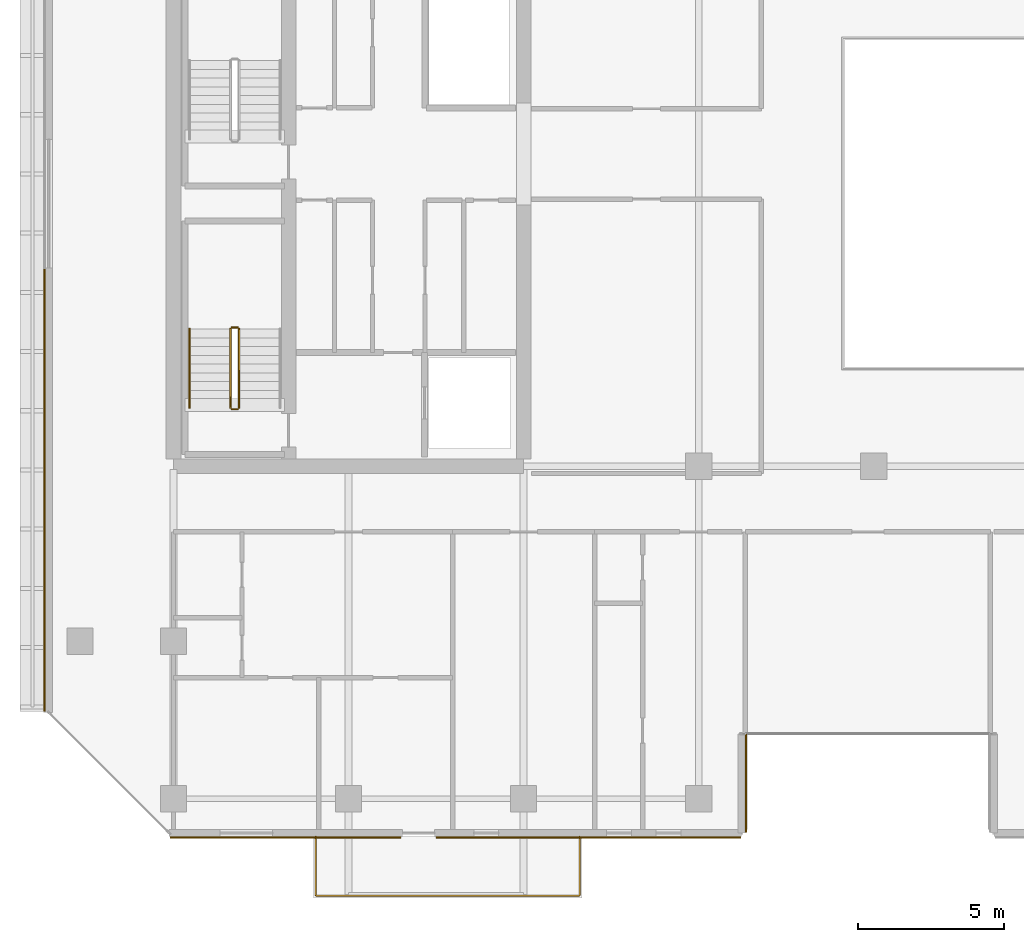
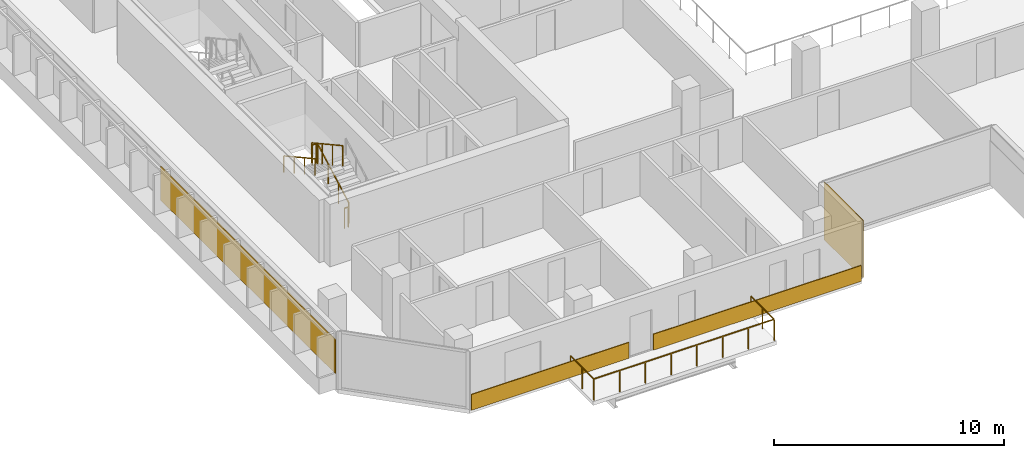
# One storey, part 26 of 29: 6 railings, 4 coverings.
"""IFC4 building model written with IfcOpenShell, lengths in metres."""

import ifcopenshell
import ifcopenshell.guid

model = None  # the IFC model being written
_history = None  # IfcOwnerHistory: only IFC2X3 demands one
_inside = {}  # id of a spatial element -> (the spatial element, [elements in it])
_under = {}  # id of a project, library or spatial element -> (it, [spatial elements below it])
_declared = {}  # id of a project -> (the project, [libraries it declares])
_typed = {}  # id of a type object -> (the type object, [elements of that type])
_made_of = {}  # id of a material, layer set ... -> (it, [elements and type objects made of it])


def new_model(schema):
    """Start an empty IFC model of exactly this schema.

    Asked for "IFC4X3", IfcOpenShell would pick the latest addendum, in which some entities
    have other attributes; the version numbers below select the first issue.
    IFC2X3 requires an IfcOwnerHistory on every rooted entity: one is made here for all.
    """
    global model, _history
    if schema == "IFC4X3":
        model = ifcopenshell.file(schema_version=(4, 3, 0, 0))
    else:
        model = ifcopenshell.file(schema=schema)
    _inside.clear()
    _under.clear()
    _declared.clear()
    _typed.clear()
    _made_of.clear()
    _history = None
    if model.schema == "IFC2X3":
        org = make("IfcOrganization", Name="unknown")
        user = make(
            "IfcPersonAndOrganization",
            ThePerson=make("IfcPerson", FamilyName="unknown"),
            TheOrganization=org,
        )
        app = make(
            "IfcApplication",
            ApplicationDeveloper=org,
            Version="unknown",
            ApplicationFullName="unknown",
            ApplicationIdentifier="unknown",
        )
        _history = make(
            "IfcOwnerHistory",
            OwningUser=user,
            OwningApplication=app,
            ChangeAction="ADDED",
            CreationDate=0,
        )
    return model


def make(cls, **values):
    """One entity of the class cls with the attributes given. An attribute that is None is left unset."""
    return model.create_entity(
        cls, **{name: value for name, value in values.items() if value is not None}
    )


def rooted(cls, **values):
    """An entity with a GlobalId (a new one), such as an element, a storey or a relation."""
    return make(cls, GlobalId=ifcopenshell.guid.new(), OwnerHistory=_history, **values)


def si_unit(unit_type, name, prefix=None):
    """IfcSIUnit, for example si_unit("LENGTHUNIT", "METRE", prefix="MILLI")."""
    return make("IfcSIUnit", UnitType=unit_type, Prefix=prefix, Name=name)


def assignment(units):
    """IfcUnitAssignment: the units of a project."""
    return None if units is None else make("IfcUnitAssignment", Units=units)


def point(xyz):
    """IfcCartesianPoint."""
    return None if xyz is None else make("IfcCartesianPoint", Coordinates=xyz)


def direction(xyz):
    """IfcDirection."""
    return None if xyz is None else make("IfcDirection", DirectionRatios=xyz)


def frame(location, z_axis=None, x_axis=None):
    """IfcAxis2Placement3D, a coordinate frame: its origin and axes. An axis left out is left unset."""
    return make(
        "IfcAxis2Placement3D",
        Location=point(location),
        Axis=direction(z_axis),
        RefDirection=direction(x_axis),
    )


def frame_2d(location, x_axis=None):
    """IfcAxis2Placement2D, a coordinate frame in the plane: its origin and x axis."""
    return make(
        "IfcAxis2Placement2D", Location=point(location), RefDirection=direction(x_axis)
    )


def origin():
    """The frame at (0, 0, 0) with its axes left unset."""
    return frame((0.0, 0.0, 0.0))


def origin_2d():
    """The frame at (0, 0) in the plane with its x axis left unset."""
    return frame_2d((0.0, 0.0))


def place(relative_to, where):
    """IfcLocalPlacement: puts the frame where relative to a parent placement (None: the world)."""
    return make(
        "IfcLocalPlacement", PlacementRelTo=relative_to, RelativePlacement=where
    )


def context(
    kind, dimensions, precision=None, world=None, true_north=None, identifier=None
):
    """IfcGeometricRepresentationContext, for example the 3D "Model" context."""
    return make(
        "IfcGeometricRepresentationContext",
        ContextIdentifier=identifier,
        ContextType=kind,
        CoordinateSpaceDimension=dimensions,
        Precision=precision,
        WorldCoordinateSystem=world,
        TrueNorth=true_north,
    )


def subcontext(parent, identifier, kind, view, scale=None):
    """IfcGeometricRepresentationSubContext, for example "Body" below "Model"."""
    return make(
        "IfcGeometricRepresentationSubContext",
        ContextIdentifier=identifier,
        ContextType=kind,
        ParentContext=parent,
        TargetScale=scale,
        TargetView=view,
    )


def project(units=None, contexts=None):
    """IfcProject with its units and contexts."""
    return rooted(
        "IfcProject",
        Name="project",
        RepresentationContexts=contexts,
        UnitsInContext=assignment(units),
    )


def spatial(cls, under=None, at=None, **own):
    """A site, building, storey or space (cls), placed at a placement, below another one or the project."""
    s = rooted(cls, ObjectPlacement=at, **own)
    if under is not None:
        _under.setdefault(under.id(), (under, []))[1].append(s)
    return s


def profile(cls, at=None, kind="AREA", **sizes):
    """A parametric profile (cls). Its sizes go by their IFC names, for example OverallWidth=200.0."""
    return make(cls, ProfileType=kind, Position=at, **sizes)


def rectangle(**sizes):
    """IfcRectangleProfileDef."""
    return profile("IfcRectangleProfileDef", **sizes)


def extrude(swept, where, along, depth):
    """IfcExtrudedAreaSolid: the profile swept, set in the frame where, extruded along a direction by depth."""
    return make(
        "IfcExtrudedAreaSolid",
        SweptArea=swept,
        Position=where,
        ExtrudedDirection=direction(along),
        Depth=depth,
    )


def shape(context_of_items, identifier, shape_type, items):
    """IfcShapeRepresentation: the items that make up one representation, for example the "Body"."""
    return make(
        "IfcShapeRepresentation",
        ContextOfItems=context_of_items,
        RepresentationIdentifier=identifier,
        RepresentationType=shape_type,
        Items=items,
    )


def material(Name=None, Category=None):
    """IfcMaterial."""
    return make("IfcMaterial", Name=Name, Category=Category)


def layer(
    of_material, thickness, ventilated=None, Name=None, Category=None, Priority=None
):
    """IfcMaterialLayer: one layer of a wall or slab, of a material (None: an air gap)."""
    return make(
        "IfcMaterialLayer",
        Material=of_material,
        LayerThickness=thickness,
        IsVentilated=ventilated,
        Name=Name,
        Category=Category,
        Priority=Priority,
    )


def layer_set(layers, Name=None):
    """IfcMaterialLayerSet."""
    return make("IfcMaterialLayerSet", MaterialLayers=layers, LayerSetName=Name)


def made_of(thing, what):
    """Note that an element or type object is made of a material, layer set ...; save() writes the relation."""
    if what is not None:
        _made_of.setdefault(what.id(), (what, []))[1].append(thing)
    return thing


def type_object(cls, material=None, **own):
    """A type object (cls), such as IfcWallType, which elements share."""
    return made_of(rooted(cls, **own), material)


def element(
    cls,
    number,
    at=None,
    inside=None,
    cuts=None,
    type_object=None,
    material=None,
    context=None,
    identifier="Body",
    shape_type=None,
    held_by="IfcProductDefinitionShape",
    body=None,
    shapes=None,
    **own,
):
    """One element of the class cls, such as IfcWall. Its Tag is "e" and its number.

    at: its placement. inside: the storey or other place that contains it. cuts: it is an
    opening in that element (IfcRelVoidsElement). A single representation is given by context,
    identifier, shape_type and body (its items); several are given by shapes. held_by: the class
    of the entity that holds the representations. save() writes the other relations.
    """
    e = rooted(cls, Tag="e%d" % number, ObjectPlacement=at, **own)
    if body is not None:
        shapes = [shape(context, identifier, shape_type, body)]
    if shapes is not None:
        e.Representation = make(held_by, Representations=shapes)
    if inside is not None:
        _inside.setdefault(inside.id(), (inside, []))[1].append(e)
    if cuts is not None:
        rooted(
            "IfcRelVoidsElement", RelatingBuildingElement=cuts, RelatedOpeningElement=e
        )
    if type_object is not None:
        _typed.setdefault(type_object.id(), (type_object, []))[1].append(e)
    return made_of(e, material)


def aggregate(whole, parts):
    """IfcRelAggregates: a whole, such as a stair, and the parts it consists of."""
    return rooted("IfcRelAggregates", RelatingObject=whole, RelatedObjects=parts)


def save(model, path):
    """Write the relations noted so far, then the file.

    IfcRelAggregates (storeys below a building ...), IfcRelContainedInSpatialStructure (elements
    in a storey), IfcRelDefinesByType, IfcRelAssociatesMaterial and IfcRelDeclares: one each for
    every whole, place, type object, material and project.
    """
    for whole, parts in _under.values():
        aggregate(whole, parts)
    for where, things in _inside.values():
        rooted(
            "IfcRelContainedInSpatialStructure",
            RelatedElements=things,
            RelatingStructure=where,
        )
    for kind, things in _typed.values():
        rooted("IfcRelDefinesByType", RelatedObjects=things, RelatingType=kind)
    for what, things in _made_of.values():
        rooted("IfcRelAssociatesMaterial", RelatedObjects=things, RelatingMaterial=what)
    for by, libraries in _declared.values():
        rooted("IfcRelDeclares", RelatingContext=by, RelatedDefinitions=libraries)
    model.write(path)


model = new_model("IFC4")

# Units and contexts
model_context = context("Model", 3, precision=1e-05, world=origin(), true_north=direction((0.0, 1.0)))
body_context = subcontext(model_context, "Body", "Model", "MODEL_VIEW")
ifc_project = project(units=[si_unit("LENGTHUNIT", "METRE"), si_unit("AREAUNIT", "SQUARE_METRE"), si_unit("VOLUMEUNIT", "CUBIC_METRE"), si_unit("PLANEANGLEUNIT", "RADIAN"), si_unit("MASSUNIT", "GRAM", prefix="KILO")], contexts=[model_context])

# Site, building, storey
site_placement = place(None, origin())
site = spatial("IfcSite", under=ifc_project, at=site_placement, CompositionType="ELEMENT")
building_placement = place(site_placement, origin())
building = spatial("IfcBuilding", under=site, at=building_placement, Name="Tanjung Sevakor Pilgrim Tower", CompositionType="ELEMENT")
storey_placement = place(building_placement, frame((0.0, 0.0, 148.5)))
storey = spatial("IfcBuildingStorey", under=building, at=storey_placement, Name="L41", CompositionType="ELEMENT", Elevation=148.5)

# Coverings
ifc_material_1 = material(Name="Reconstructed Limestone Cladding", Category="masonry")
ifc_layer = layer(ifc_material_1, 0.044921875)
ifc_layer_set = layer_set([ifc_layer], Name="COV-CLAD-LIMESTONE")
covering_type = type_object("IfcCoveringType", Name="COV-CLAD-LIMESTONE", PredefinedType="CLADDING", material=ifc_layer_set)
covering_1_placement = place(storey_placement, frame((27.8408203125, 11.87744140625, 0.009765625), z_axis=(0.0, 0.0, 1.0), x_axis=(1.0, 0.0, 0.0)))
element("IfcCovering", 1, at=covering_1_placement, inside=storey, type_object=covering_type, Name="L41 Warm Limestone Sill Spandrel EW-L41-MAIN-1-1", PredefinedType="CLADDING", context=body_context, shape_type="SweptSolid", body=[
    extrude(rectangle(XDim=7.898193359375, YDim=0.044921875, at=origin_2d()), origin(), (0.0, 0.0, 1.0), 0.840087890625),
])
covering_2_placement = place(storey_placement, frame((38.222412109375, 11.87744140625, 0.009765625), z_axis=(0.0, 0.0, 1.0), x_axis=(1.0, 0.0, 0.0)))
element("IfcCovering", 2, at=covering_2_placement, inside=storey, type_object=covering_type, Name="L41 Warm Limestone Sill Spandrel EW-L41-MAIN-1-2", PredefinedType="CLADDING", context=body_context, shape_type="SweptSolid", body=[
    extrude(rectangle(XDim=10.425048828125, YDim=0.044921875, at=origin_2d()), origin(), (0.0, 0.0, 1.0), 0.840087890625),
])
covering_3_placement = place(storey_placement, frame((43.62255859375, 13.72509765625, 0.02001953125), z_axis=(0.0, 0.0, 1.0), x_axis=(0.0, 1.0, 0.0)))
element("IfcCovering", 3, at=covering_3_placement, inside=storey, type_object=covering_type, Name="L41 Warm Limestone Wall Cladding EW-L41-MAIN-2", PredefinedType="CLADDING", context=body_context, shape_type="SweptSolid", body=[
    extrude(rectangle(XDim=3.360107421875, YDim=0.044921875, at=origin_2d()), origin(), (0.0, 0.0, 1.0), 3.0400390625),
])
covering_4_placement = place(storey_placement, frame((19.577392578125, 23.77099609375, 0.849853515625), z_axis=(0.0, 0.0, 1.0), x_axis=(0.0, -1.0, 0.0)))
element("IfcCovering", 4, at=covering_4_placement, inside=storey, type_object=covering_type, Name="L41 Warm Limestone Pier Panel EW-L41-MAIN-15-2", PredefinedType="CLADDING", context=body_context, shape_type="SweptSolid", body=[
    extrude(rectangle(XDim=15.158203125, YDim=0.044921875, at=origin_2d()), origin(), (0.0, 0.0, 1.0), 1.81005859375),
])

# Railings
ifc_material_2 = material(Name="Laminated Glass and Aluminium", Category="aluminium")
railing_type_1 = type_object("IfcRailingType", Name="RL-BAL-BALUST", PredefinedType="BALUSTRADE", material=ifc_material_2)
railing_1_placement = place(storey_placement, frame((28.8798828125, 11.89990234375, 0.0)))
element("IfcRailing", 5, at=railing_1_placement, inside=storey, type_object=railing_type_1, Name="L41 Loggia Balustrade MAIN-S1", PredefinedType="BALUSTRADE", context=body_context, shape_type="SweptSolid", body=[
    extrude(rectangle(XDim=0.0479, YDim=0.0479), frame((0.0, 0.0, 1.1259765625), z_axis=(0.0, -1.0, 0.0), x_axis=(1.0, 0.0, 0.0)), (0.0, 0.0, 1.0), 2.02001953125),
    extrude(rectangle(XDim=0.0479, YDim=0.0479), frame((0.0, -2.02001953125, 1.1259765625), z_axis=(1.0, 0.0, 0.0), x_axis=(0.0, 1.0, 0.0)), (0.0, 0.0, 1.0), 9.0400390625),
    extrude(rectangle(XDim=0.0479, YDim=0.0479), frame((9.0400390625, -2.02001953125, 1.1259765625), z_axis=(0.0, 1.0, 0.0), x_axis=(-1.0, 0.0, 0.0)), (0.0, 0.0, 1.0), 2.02001953125),
    extrude(rectangle(XDim=0.042, YDim=0.042), origin(), (0.0, 0.0, 1.0), 1.101806640625),
    extrude(rectangle(XDim=0.042, YDim=0.042), frame((0.0, -1.010009765625, 0.0)), (0.0, 0.0, 1.0), 1.101806640625),
    extrude(rectangle(XDim=0.042, YDim=0.042), frame((0.0, -2.02001953125, 0.0)), (0.0, 0.0, 1.0), 1.101806640625),
    extrude(rectangle(XDim=0.042, YDim=0.042), frame((1.29150390625, -2.02001953125, 0.0)), (0.0, 0.0, 1.0), 1.101806640625),
    extrude(rectangle(XDim=0.042, YDim=0.042), frame((2.582763671875, -2.02001953125, 0.0)), (0.0, 0.0, 1.0), 1.101806640625),
    extrude(rectangle(XDim=0.042, YDim=0.042), frame((3.874267578125, -2.02001953125, 0.0)), (0.0, 0.0, 1.0), 1.101806640625),
    extrude(rectangle(XDim=0.042, YDim=0.042), frame((5.165771484375, -2.02001953125, 0.0)), (0.0, 0.0, 1.0), 1.101806640625),
    extrude(rectangle(XDim=0.042, YDim=0.042), frame((6.457275390625, -2.02001953125, 0.0)), (0.0, 0.0, 1.0), 1.101806640625),
    extrude(rectangle(XDim=0.042, YDim=0.042), frame((7.74853515625, -2.02001953125, 0.0)), (0.0, 0.0, 1.0), 1.101806640625),
    extrude(rectangle(XDim=0.042, YDim=0.042), frame((9.0400390625, -2.02001953125, 0.0)), (0.0, 0.0, 1.0), 1.101806640625),
    extrude(rectangle(XDim=0.042, YDim=0.042), frame((9.0400390625, -1.010009765625, 0.0)), (0.0, 0.0, 1.0), 1.101806640625),
    extrude(rectangle(XDim=0.042, YDim=0.042), frame((9.0400390625, 0.0, 0.0)), (0.0, 0.0, 1.0), 1.101806640625),
])
ifc_material_3 = material(Name="Steel S355J2", Category="steel")
railing_type_2 = type_object("IfcRailingType", Name="RL-STAIR-GUARD", PredefinedType="GUARDRAIL", material=ifc_material_3)
railing_2_placement = place(storey_placement, frame((26.25, 26.60009765625, 0.1650390625)))
element("IfcRailing", 6, at=railing_2_placement, inside=storey, type_object=railing_type_2, Name="L41 TS-W1 stair guard 1", PredefinedType="GUARDRAIL", context=body_context, shape_type="SweptSolid", body=[
    extrude(rectangle(XDim=0.0479, YDim=0.0479), frame((0.0, 0.0, 1.076171875), z_axis=(0.0, 0.876230963923, 0.481891375584), x_axis=(-1.0, 0.0, 0.0)), (0.0, 0.0, 1.0), 3.081298828125),
    extrude(rectangle(XDim=0.042, YDim=0.042), origin(), (0.0, 0.0, 1.0), 1.052001953125),
    extrude(rectangle(XDim=0.042, YDim=0.042), frame((0.0, 0.89990234375, 0.494873046875)), (0.0, 0.0, 1.0), 1.052001953125),
    extrude(rectangle(XDim=0.042, YDim=0.042), frame((0.0, 1.800048828125, 0.989990234375)), (0.0, 0.0, 1.0), 1.052001953125),
    extrude(rectangle(XDim=0.042, YDim=0.042), frame((0.0, 2.699951171875, 1.48486328125)), (0.0, 0.0, 1.0), 1.052001953125),
])
railing_3_placement = place(storey_placement, frame((26.199951171875, 29.35009765625, 1.64990234375)))
element("IfcRailing", 7, at=railing_3_placement, inside=storey, type_object=railing_type_2, Name="L41 TS-W1 stair guard 2", PredefinedType="GUARDRAIL", context=body_context, shape_type="SweptSolid", body=[
    extrude(rectangle(XDim=0.0479, YDim=0.0479), frame((0.0, 0.0, 1.076171875), z_axis=(-1.0, 0.0, 0.0), x_axis=(0.0, -1.0, 0.0)), (0.0, 0.0, 1.0), 0.199951171875),
    extrude(rectangle(XDim=0.042, YDim=0.042), origin(), (0.0, 0.0, 1.0), 1.052001953125),
    extrude(rectangle(XDim=0.042, YDim=0.042), frame((-0.199951171875, 0.0, 0.0)), (0.0, 0.0, 1.0), 1.052001953125),
])
railing_4_placement = place(storey_placement, frame((25.949951171875, 29.300048828125, 1.81494140625)))
element("IfcRailing", 8, at=railing_4_placement, inside=storey, type_object=railing_type_2, Name="L41 TS-W1 stair guard 3", PredefinedType="GUARDRAIL", context=body_context, shape_type="SweptSolid", body=[
    extrude(rectangle(XDim=0.0479, YDim=0.0479), frame((0.0, 0.0, 1.076171875), z_axis=(0.0, -0.876197507361, 0.481952205197), x_axis=(1.0, 0.0, 0.0)), (0.0, 0.0, 1.0), 3.08154296875),
    extrude(rectangle(XDim=0.042, YDim=0.042), origin(), (0.0, 0.0, 1.0), 1.052001953125),
    extrude(rectangle(XDim=0.042, YDim=0.042), frame((0.0, -0.89990234375, 0.4951171875)), (0.0, 0.0, 1.0), 1.052001953125),
    extrude(rectangle(XDim=0.042, YDim=0.042), frame((0.0, -1.800048828125, 0.989990234375)), (0.0, 0.0, 1.0), 1.052001953125),
    extrude(rectangle(XDim=0.042, YDim=0.042), frame((0.0, -2.699951171875, 1.485107421875)), (0.0, 0.0, 1.0), 1.052001953125),
])
railing_5_placement = place(storey_placement, frame((26.199951171875, 26.550048828125, 0.0)))
element("IfcRailing", 9, at=railing_5_placement, inside=storey, type_object=railing_type_2, Name="L41 TS-W1 stair guard 4", PredefinedType="GUARDRAIL", context=body_context, shape_type="SweptSolid", body=[
    extrude(rectangle(XDim=0.0479, YDim=0.0479), frame((0.0, 0.0, 1.076171875), z_axis=(-1.0, 0.0, 0.0), x_axis=(0.0, -1.0, 0.0)), (0.0, 0.0, 1.0), 0.199951171875),
    extrude(rectangle(XDim=0.042, YDim=0.042), origin(), (0.0, 0.0, 1.0), 1.052001953125),
    extrude(rectangle(XDim=0.042, YDim=0.042), frame((-0.199951171875, 0.0, 0.0)), (0.0, 0.0, 1.0), 1.052001953125),
])
ifc_material_4 = material(Name="Steel S355J2", Category="steel")
railing_type_3 = type_object("IfcRailingType", Name="RL-STAIR-HAND", PredefinedType="HANDRAIL", material=ifc_material_4)
railing_6_placement = place(storey_placement, frame((24.550048828125, 29.300048828125, 1.81494140625)))
element("IfcRailing", 10, at=railing_6_placement, inside=storey, type_object=railing_type_3, Name="L41 TS-W1 stair handrail 2", PredefinedType="HANDRAIL", context=body_context, shape_type="SweptSolid", body=[
    extrude(rectangle(XDim=0.0479, YDim=0.0479), frame((0.0, 0.0, 0.8759765625), z_axis=(0.0, -0.876197507361, 0.481952205197), x_axis=(1.0, 0.0, 0.0)), (0.0, 0.0, 1.0), 3.08154296875),
    extrude(rectangle(XDim=0.042, YDim=0.042), origin(), (0.0, 0.0, 1.0), 0.851806640625),
    extrude(rectangle(XDim=0.042, YDim=0.042), frame((0.0, -0.89990234375, 0.4951171875)), (0.0, 0.0, 1.0), 0.851806640625),
    extrude(rectangle(XDim=0.042, YDim=0.042), frame((0.0, -1.800048828125, 0.989990234375)), (0.0, 0.0, 1.0), 0.851806640625),
    extrude(rectangle(XDim=0.042, YDim=0.042), frame((0.0, -2.699951171875, 1.485107421875)), (0.0, 0.0, 1.0), 0.851806640625),
])

save(model, "model.ifc")
